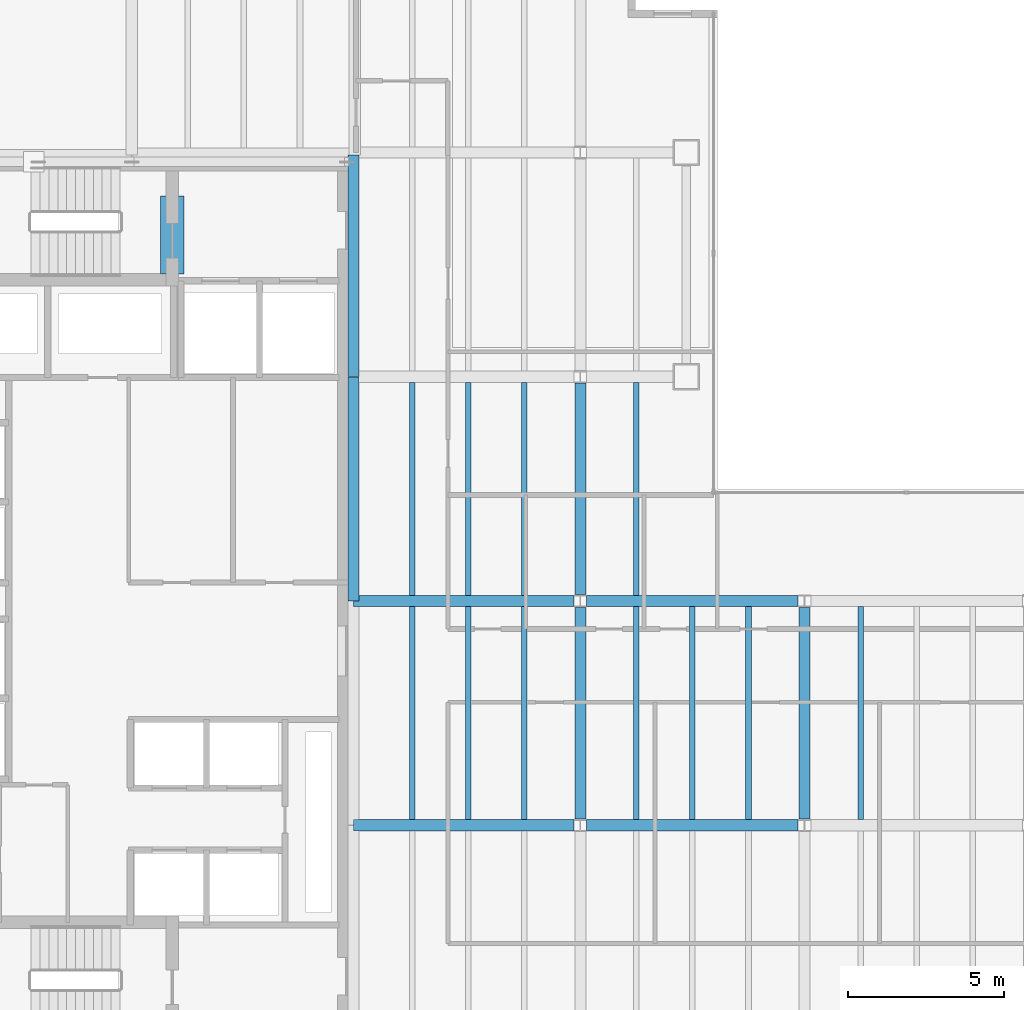
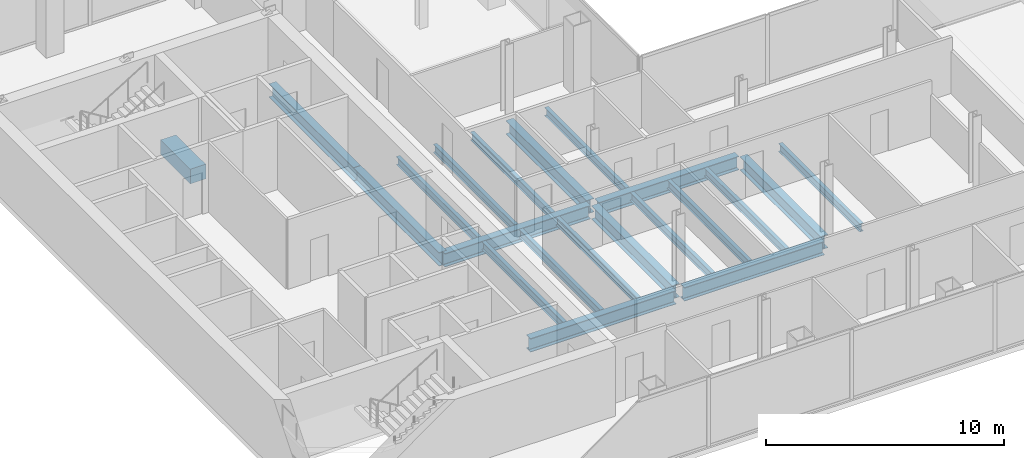
# One storey, part 6 of 24: 21 beams.
"""IFC4 building model written with IfcOpenShell, lengths in metres."""

from ifc_helpers import new_model, si_unit, direction, frame, origin, origin_2d, place, context, subcontext, project, spatial, rectangle, i_section, extrude, material, material_profile, profile_set, type_object, element, save


model = new_model("IFC4")

# Units and contexts
model_context = context("Model", 3, precision=1e-05, world=origin(), true_north=direction((0.0, 1.0)))
body_context = subcontext(model_context, "Body", "Model", "MODEL_VIEW")
ifc_project = project(units=[si_unit("LENGTHUNIT", "METRE"), si_unit("AREAUNIT", "SQUARE_METRE"), si_unit("VOLUMEUNIT", "CUBIC_METRE"), si_unit("PLANEANGLEUNIT", "RADIAN"), si_unit("MASSUNIT", "GRAM", prefix="KILO")], contexts=[model_context])

# Site, building, storey
site_placement = place(None, origin())
site = spatial("IfcSite", under=ifc_project, at=site_placement, CompositionType="ELEMENT")
building_placement = place(site_placement, origin())
building = spatial("IfcBuilding", under=site, at=building_placement, Name="Cobrela Telecom Tower", CompositionType="ELEMENT")
storey_placement = place(building_placement, frame((0.0, 0.0, 152.25)))
storey = spatial("IfcBuildingStorey", under=building, at=storey_placement, Name="L38", CompositionType="ELEMENT", Elevation=152.25)

# Beams
ifc_material_1 = material(Name="Concrete C40/50", Category="concrete")
ifc_material_profile_1 = material_profile(ifc_material_1, rectangle(XDim=0.75, YDim=0.75, at=origin_2d()), Name="RC 750x750")
ifc_profile_set_1 = profile_set([ifc_material_profile_1], Name="Concrete C40/50")
beam_type_1 = type_object("IfcBeamType", Name="BM-COUP-RC", PredefinedType="LINTEL", material=ifc_profile_set_1)
beam_1_placement = place(storey_placement, frame((8.5, 32.10009765625, -0.6201171875), z_axis=(0.0, 1.0, 0.0), x_axis=(-1.0, 0.0, 0.0)))
element("IfcBeam", 1, at=beam_1_placement, inside=storey, type_object=beam_type_1, Name="L38 Core Coupling Lintel Beam", PredefinedType="LINTEL", context=body_context, shape_type="SweptSolid", body=[
    extrude(rectangle(XDim=0.75, YDim=0.75, at=origin_2d()), origin(), (0.0, 0.0, 1.0), 2.5),
])
ifc_material_2 = material(Name="Steel ASTM A992 Grade 50", Category="steel")
ifc_material_profile_2 = material_profile(ifc_material_2, i_section(OverallWidth=0.35595703125, OverallDepth=0.696044921875, WebThickness=0.015380859375, FlangeThickness=0.024658203125, FilletRadius=0.01806640625, at=origin_2d()), Name="W27X146")
ifc_profile_set_2 = profile_set([ifc_material_profile_2], Name="Steel ASTM A992 Grade 50")
beam_type_2 = type_object("IfcBeamType", Name="BM-GIRD-05", PredefinedType="USERDEFINED", material=ifc_profile_set_2)
beam_2_placement = place(storey_placement, frame((14.324951171875, 14.39990234375, -0.617919921875), z_axis=(1.0, 0.0, 0.0), x_axis=(0.0, 1.0, 0.0)))
element("IfcBeam", 2, at=beam_2_placement, inside=storey, type_object=beam_type_2, Name="L38 Primary Girder X13", ObjectType="GIRDER", PredefinedType="USERDEFINED", context=body_context, shape_type="SweptSolid", body=[
    extrude(i_section(OverallWidth=0.35595703125, OverallDepth=0.696044921875, WebThickness=0.015380859375, FlangeThickness=0.024658203125, FilletRadius=0.01806640625, at=origin_2d()), origin(), (0.0, 0.0, 1.0), 7.070556640625),
])
beam_3_placement = place(storey_placement, frame((21.804443359375, 14.39990234375, -0.617919921875), z_axis=(1.0, 0.0, 0.0), x_axis=(0.0, 1.0, 0.0)))
element("IfcBeam", 3, at=beam_3_placement, inside=storey, type_object=beam_type_2, Name="L38 Primary Girder X14", ObjectType="GIRDER", PredefinedType="USERDEFINED", context=body_context, shape_type="SweptSolid", body=[
    extrude(i_section(OverallWidth=0.35595703125, OverallDepth=0.696044921875, WebThickness=0.015380859375, FlangeThickness=0.024658203125, FilletRadius=0.01806640625, at=origin_2d()), origin(), (0.0, 0.0, 1.0), 6.791015625),
])
beam_4_placement = place(storey_placement, frame((14.324951171875, 21.60009765625, -0.617919921875), z_axis=(1.0, 0.0, 0.0), x_axis=(0.0, 1.0, 0.0)))
element("IfcBeam", 4, at=beam_4_placement, inside=storey, type_object=beam_type_2, Name="L38 Primary Girder X18", ObjectType="GIRDER", PredefinedType="USERDEFINED", context=body_context, shape_type="SweptSolid", body=[
    extrude(i_section(OverallWidth=0.35595703125, OverallDepth=0.696044921875, WebThickness=0.015380859375, FlangeThickness=0.024658203125, FilletRadius=0.01806640625, at=origin_2d()), origin(), (0.0, 0.0, 1.0), 7.070556640625),
])
beam_5_placement = place(storey_placement, frame((21.804443359375, 21.60009765625, -0.617919921875), z_axis=(1.0, 0.0, 0.0), x_axis=(0.0, 1.0, 0.0)))
element("IfcBeam", 5, at=beam_5_placement, inside=storey, type_object=beam_type_2, Name="L38 Primary Girder X19", ObjectType="GIRDER", PredefinedType="USERDEFINED", context=body_context, shape_type="SweptSolid", body=[
    extrude(i_section(OverallWidth=0.35595703125, OverallDepth=0.696044921875, WebThickness=0.015380859375, FlangeThickness=0.024658203125, FilletRadius=0.01806640625, at=origin_2d()), origin(), (0.0, 0.0, 1.0), 6.791015625),
])
beam_6_placement = place(storey_placement, frame((14.320068359375, 21.60498046875, -0.617919921875), z_axis=(0.0, 1.0, 0.0), x_axis=(-1.0, 0.0, 0.0)))
element("IfcBeam", 6, at=beam_6_placement, inside=storey, type_object=beam_type_2, Name="L38 Primary Girder Y36", ObjectType="GIRDER", PredefinedType="USERDEFINED", context=body_context, shape_type="SweptSolid", body=[
    extrude(i_section(OverallWidth=0.35595703125, OverallDepth=0.696044921875, WebThickness=0.015380859375, FlangeThickness=0.024658203125, FilletRadius=0.01806640625, at=origin_2d()), origin(), (0.0, 0.0, 1.0), 7.18994140625),
])
beam_7_placement = place(storey_placement, frame((14.320068359375, 28.804931640625, -0.617919921875), z_axis=(0.0, 1.0, 0.0), x_axis=(-1.0, 0.0, 0.0)))
element("IfcBeam", 7, at=beam_7_placement, inside=storey, type_object=beam_type_2, Name="L38 Primary Girder Y37", ObjectType="GIRDER", PredefinedType="USERDEFINED", context=body_context, shape_type="SweptSolid", body=[
    extrude(i_section(OverallWidth=0.35595703125, OverallDepth=0.696044921875, WebThickness=0.015380859375, FlangeThickness=0.024658203125, FilletRadius=0.01806640625, at=origin_2d()), origin(), (0.0, 0.0, 1.0), 7.110107421875),
])
for number, where, z_axis, x_axis, name in (
    (8, (21.60009765625, 14.6044921875, -0.617919921875), (0.0, 1.0, 0.0), (-1.0, 0.0, 0.0), "L38 Primary Girder Y41"),
    (9, (21.60009765625, 21.804443359375, -0.617919921875), (0.0, 1.0, 0.0), (-1.0, 0.0, 0.0), "L38 Primary Girder Y42"),
    (10, (28.800048828125, 14.6044921875, -0.617919921875), (0.0, 1.0, 0.0), (-1.0, 0.0, 0.0), "L38 Primary Girder Y48"),
):
    element("IfcBeam", number, at=place(storey_placement, frame(where, z_axis=z_axis, x_axis=x_axis)), inside=storey, type_object=beam_type_2, Name=name, ObjectType="GIRDER", PredefinedType="USERDEFINED", context=body_context, shape_type="SweptSolid", body=[
        extrude(i_section(OverallWidth=0.35595703125, OverallDepth=0.696044921875, WebThickness=0.015380859375, FlangeThickness=0.024658203125, FilletRadius=0.01806640625, at=origin_2d()), origin(), (0.0, 0.0, 1.0), 6.791015625),
    ])
ifc_material_profile_3 = material_profile(ifc_material_2, i_section(OverallWidth=0.179931640625, OverallDepth=0.4169921875, WebThickness=0.010986328125, FlangeThickness=0.01806640625, FilletRadius=0.011962890625, at=origin_2d()), Name="W16X57")
ifc_profile_set_3 = profile_set([ifc_material_profile_3], Name="Steel ASTM A992 Grade 50")
beam_type_3 = type_object("IfcBeamType", Name="BM-JOIST-04", PredefinedType="JOIST", material=ifc_profile_set_3)
for number, where, z_axis, x_axis, name in (
    (11, (16.199951171875, 14.5830078125, -0.478515625), (0.0, 1.0, 0.0), (-1.0, 0.0, 0.0), "L38 Secondary Composite Floor Beam J05"),
    (12, (16.199951171875, 21.782958984375, -0.478515625), (0.0, 1.0, 0.0), (-1.0, 0.0, 0.0), "L38 Secondary Composite Floor Beam J06"),
    (13, (18.0, 14.5830078125, -0.478515625), (0.0, 1.0, 0.0), (-1.0, 0.0, 0.0), "L38 Secondary Composite Floor Beam J10"),
    (14, (18.0, 21.782958984375, -0.478515625), (0.0, 1.0, 0.0), (-1.0, 0.0, 0.0), "L38 Secondary Composite Floor Beam J11"),
    (15, (19.800048828125, 14.5830078125, -0.478515625), (0.0, 1.0, 0.0), (-1.0, 0.0, 0.0), "L38 Secondary Composite Floor Beam J15"),
    (16, (19.800048828125, 21.782958984375, -0.478515625), (0.0, 1.0, 0.0), (-1.0, 0.0, 0.0), "L38 Secondary Composite Floor Beam J16"),
    (17, (23.39990234375, 14.5830078125, -0.478515625), (0.0, 1.0, 0.0), (-1.0, 0.0, 0.0), "L38 Secondary Composite Floor Beam J20"),
    (18, (23.39990234375, 21.782958984375, -0.478515625), (0.0, 1.0, 0.0), (-1.0, 0.0, 0.0), "L38 Secondary Composite Floor Beam J21"),
    (19, (25.199951171875, 14.5830078125, -0.478515625), (0.0, 1.0, 0.0), (-1.0, 0.0, 0.0), "L38 Secondary Composite Floor Beam J24"),
    (20, (27.0, 14.5830078125, -0.478515625), (0.0, 1.0, 0.0), (-1.0, 0.0, 0.0), "L38 Secondary Composite Floor Beam J26"),
    (21, (30.60009765625, 14.5830078125, -0.478515625), (0.0, 1.0, 0.0), (-1.0, 0.0, 0.0), "L38 Secondary Composite Floor Beam J28"),
):
    element("IfcBeam", number, at=place(storey_placement, frame(where, z_axis=z_axis, x_axis=x_axis)), inside=storey, type_object=beam_type_3, Name=name, PredefinedType="JOIST", context=body_context, shape_type="SweptSolid", body=[
        extrude(i_section(OverallWidth=0.179931640625, OverallDepth=0.4169921875, WebThickness=0.010986328125, FlangeThickness=0.01806640625, FilletRadius=0.011962890625, at=origin_2d()), origin(), (0.0, 0.0, 1.0), 6.833984375),
    ])

save(model, "model.ifc")
